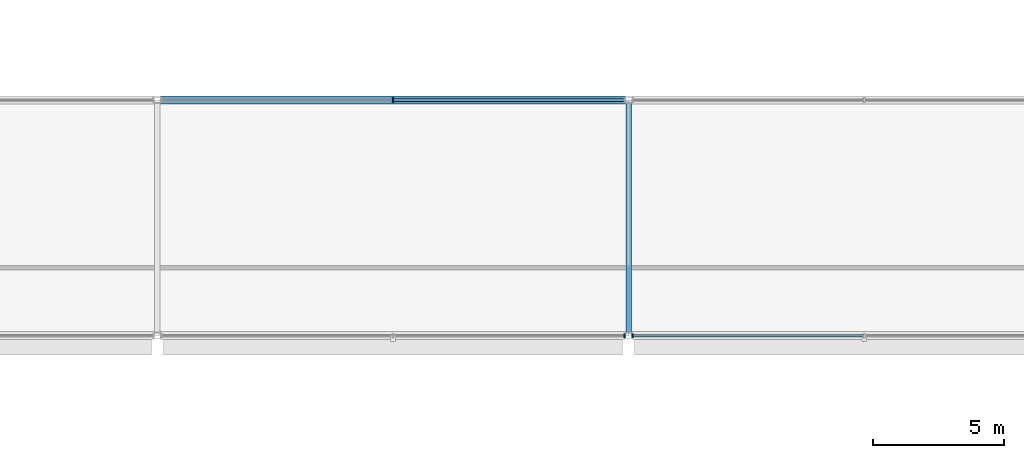
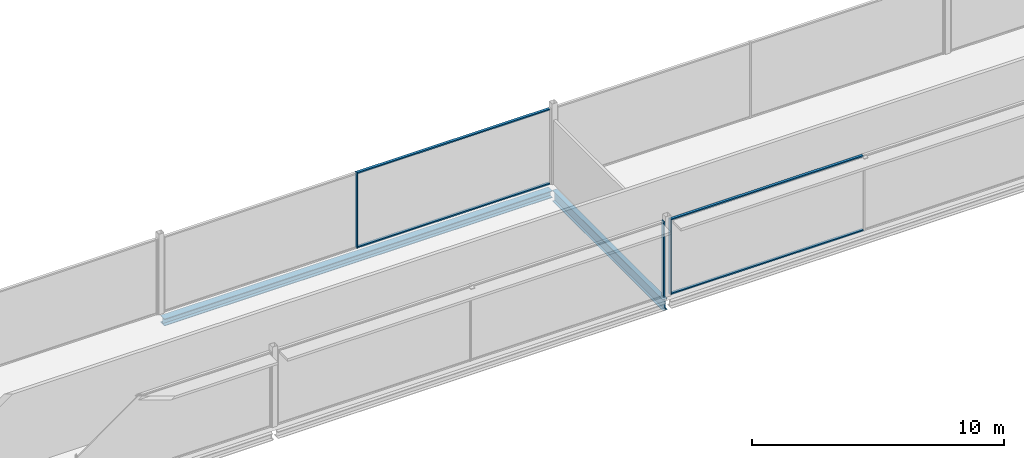
# One storey, part 25 of 96: 7 members, 2 beams, 3 elements without a shape of their own.
"""IFC4 building model written with IfcOpenShell, lengths in metres."""

from ifc_helpers import new_model, si_unit, direction, frame, origin, origin_2d, place, context, subcontext, project, spatial, rectangle, i_section, extrude, material, layer, layer_set, material_profile, profile_set, type_object, element, aggregate, save


model = new_model("IFC4")

# Units and contexts
model_context = context("Model", 3, precision=1e-05, world=origin(), true_north=direction((0.0, 1.0)))
body_context = subcontext(model_context, "Body", "Model", "MODEL_VIEW")
ifc_project = project(units=[si_unit("LENGTHUNIT", "METRE"), si_unit("AREAUNIT", "SQUARE_METRE"), si_unit("VOLUMEUNIT", "CUBIC_METRE"), si_unit("PLANEANGLEUNIT", "RADIAN"), si_unit("MASSUNIT", "GRAM", prefix="KILO")], contexts=[model_context])

# Site, building, storey
site_placement = place(None, origin())
site = spatial("IfcSite", under=ifc_project, at=site_placement, CompositionType="ELEMENT")
building_placement = place(site_placement, origin())
building = spatial("IfcBuilding", under=site, at=building_placement, Name="Kisiwana Market Hall", CompositionType="ELEMENT")
storey_placement = place(building_placement, frame((0.0, 0.0, 25.5)))
storey = spatial("IfcBuildingStorey", under=building, at=storey_placement, Name="L05", CompositionType="ELEMENT", Elevation=25.5)

# Beams
ifc_material_1 = material(Name="Steel S355", Category="steel")
ifc_material_profile_1 = material_profile(ifc_material_1, i_section(OverallWidth=0.209228515625, OverallDepth=0.533203125, WebThickness=0.010009765625, FlangeThickness=0.015625, at=origin_2d()), Name="UB 533x210x92")
ifc_profile_set_1 = profile_set([ifc_material_profile_1], Name="Steel S355")
beam_type_1 = type_object("IfcBeamType", Name="BM-GIRD-UB533", PredefinedType="BEAM", material=ifc_profile_set_1)
beam_1_placement = place(storey_placement, frame((99.0, 18.12109375, -0.531494140625), z_axis=(0.0, 1.0, 0.0), x_axis=(-1.0, 0.0, 0.0)))
element("IfcBeam", 1, at=beam_1_placement, inside=storey, type_object=beam_type_1, Name="Primary girder B-1543", PredefinedType="BEAM", context=body_context, shape_type="SweptSolid", body=[
    extrude(i_section(OverallWidth=0.209228515625, OverallDepth=0.533203125, WebThickness=0.010009765625, FlangeThickness=0.015625, at=origin_2d()), origin(), (0.0, 0.0, 1.0), 8.7578125),
])
ifc_material_2 = material(Name="Steel S355", Category="steel")
ifc_material_profile_2 = material_profile(ifc_material_2, i_section(OverallWidth=0.314453125, OverallDepth=0.33984375, WebThickness=0.01904296875, FlangeThickness=0.031494140625, at=origin_2d()), Name="UC 305x305x198")
ifc_profile_set_2 = profile_set([ifc_material_profile_2], Name="Steel S355")
beam_type_2 = type_object("IfcBeamType", Name="BM-SKYBR-CHORD", PredefinedType="BEAM", material=ifc_profile_set_2)
beam_2_placement = place(storey_placement, frame((81.12109375, 27.0, -0.43505859375), z_axis=(1.0, 0.0, 0.0), x_axis=(0.0, 1.0, 0.0)))
element("IfcBeam", 2, at=beam_2_placement, inside=storey, type_object=beam_type_2, Name="Floor beam B-1619", PredefinedType="BEAM", context=body_context, shape_type="SweptSolid", body=[
    extrude(i_section(OverallWidth=0.314453125, OverallDepth=0.33984375, WebThickness=0.01904296875, FlangeThickness=0.031494140625, at=origin_2d()), origin(), (0.0, 0.0, 1.0), 17.7578125),
])

# Curtain wall, member
ifc_material_3 = material(Name="Double-glazed solar-control low-E IGU", Category="glass")
ifc_layer = layer(ifc_material_3, 0.159912109375)
ifc_layer_set = layer_set([ifc_layer], Name="CW-ZNA-EW-8200")
curtain_wall_type = type_object("IfcCurtainWallType", Name="CW-ZNA-EW-8200", PredefinedType="USERDEFINED", material=ifc_layer_set)
curtain_wall_1_placement = place(storey_placement, origin())
curtain_wall_1 = element("IfcCurtainWall", 3, at=curtain_wall_1_placement, inside=storey, type_object=curtain_wall_type, Name="Unitised curtain wall CW-134 (L05)", ObjectType="UNITISED CURTAIN WALL", PredefinedType="USERDEFINED")
ifc_material_4 = material(Name="Aluminium alloy 6063-T6", Category="aluminium")
ifc_material_profile_3 = material_profile(ifc_material_4, rectangle(XDim=0.06005859375, YDim=0.159912109375, at=origin_2d()), Name="ALU MULLION 60x160")
ifc_profile_set_3 = profile_set([ifc_material_profile_3], Name="Aluminium alloy 6063-T6")
member_type_1 = type_object("IfcMemberType", Name="CW-MULL-60x160", PredefinedType="MULLION", material=ifc_profile_set_3)
member_1_placement = place(storey_placement, frame((98.844970703125, 18.0, 0.0), z_axis=(0.0, 0.0, 1.0), x_axis=(1.0, 0.0, 0.0)))
member_1 = element("IfcMember", 4, at=member_1_placement, type_object=member_type_1, Name="CW-134 mullion 3", PredefinedType="MULLION", context=body_context, shape_type="SweptSolid", body=[
    extrude(rectangle(XDim=0.06005859375, YDim=0.159912109375, at=origin_2d()), origin(), (0.0, 0.0, 1.0), 3.655029296875),
])
aggregate(curtain_wall_1, [member_1])

curtain_wall_2_placement = place(storey_placement, origin())
curtain_wall_2 = element("IfcCurtainWall", 5, at=curtain_wall_2_placement, inside=storey, type_object=curtain_wall_type, Name="Unitised curtain wall CW-135 (L05)", ObjectType="UNITISED CURTAIN WALL", PredefinedType="USERDEFINED")
member_2_placement = place(storey_placement, frame((99.155029296875, 18.0, 0.0), z_axis=(0.0, 0.0, 1.0), x_axis=(1.0, 0.0, 0.0)))
member_2 = element("IfcMember", 6, at=member_2_placement, type_object=member_type_1, Name="CW-135 mullion 1", PredefinedType="MULLION", context=body_context, shape_type="SweptSolid", body=[
    extrude(rectangle(XDim=0.06005859375, YDim=0.159912109375, at=origin_2d()), origin(), (0.0, 0.0, 1.0), 3.655029296875),
])

curtain_wall_3_placement = place(storey_placement, origin())
curtain_wall_3 = element("IfcCurtainWall", 7, at=curtain_wall_3_placement, inside=storey, type_object=curtain_wall_type, Name="Unitised curtain wall CW-140 (L05)", ObjectType="UNITISED CURTAIN WALL", PredefinedType="USERDEFINED")
member_3_placement = place(storey_placement, frame((90.0, 27.0, 0.0), z_axis=(0.0, 0.0, 1.0), x_axis=(1.0, 0.0, 0.0)))
member_3 = element("IfcMember", 8, at=member_3_placement, type_object=member_type_1, Name="CW-140 mullion 2", PredefinedType="MULLION", context=body_context, shape_type="SweptSolid", body=[
    extrude(rectangle(XDim=0.06005859375, YDim=0.159912109375, at=origin_2d()), origin(), (0.0, 0.0, 1.0), 3.655029296875),
])

# Member
ifc_material_5 = material(Name="Aluminium alloy 6063-T6", Category="aluminium")
ifc_material_profile_4 = material_profile(ifc_material_5, rectangle(XDim=0.1201171875, YDim=0.06005859375, at=origin_2d()), Name="ALU TRANSOM 60x120")
ifc_profile_set_4 = profile_set([ifc_material_profile_4], Name="Aluminium alloy 6063-T6")
member_type_2 = type_object("IfcMemberType", Name="CW-TRAN-60x120", PredefinedType="USERDEFINED", material=ifc_profile_set_4)
member_4_placement = place(storey_placement, frame((99.18505859375, 18.0, 0.030029296875), z_axis=(1.0, 0.0, 0.0), x_axis=(0.0, 1.0, 0.0)))
member_4 = element("IfcMember", 9, at=member_4_placement, type_object=member_type_2, Name="CW-135 transom 1.1", ObjectType="TRANSOM", PredefinedType="USERDEFINED", context=body_context, shape_type="SweptSolid", body=[
    extrude(rectangle(XDim=0.1201171875, YDim=0.06005859375, at=origin_2d()), origin(), (0.0, 0.0, 1.0), 8.784912109375),
])

member_5_placement = place(storey_placement, frame((99.18505859375, 18.0, 3.625), z_axis=(1.0, 0.0, 0.0), x_axis=(0.0, 1.0, 0.0)))
member_5 = element("IfcMember", 10, at=member_5_placement, type_object=member_type_2, Name="CW-135 transom 1.2", ObjectType="TRANSOM", PredefinedType="USERDEFINED", context=body_context, shape_type="SweptSolid", body=[
    extrude(rectangle(XDim=0.1201171875, YDim=0.06005859375, at=origin_2d()), origin(), (0.0, 0.0, 1.0), 8.784912109375),
])

aggregate(curtain_wall_2, [member_2, member_4, member_5])

member_6_placement = place(storey_placement, frame((90.030029296875, 27.0, 0.030029296875), z_axis=(1.0, 0.0, 0.0), x_axis=(0.0, 1.0, 0.0)))
member_6 = element("IfcMember", 11, at=member_6_placement, type_object=member_type_2, Name="CW-140 transom 2.1", ObjectType="TRANSOM", PredefinedType="USERDEFINED", context=body_context, shape_type="SweptSolid", body=[
    extrude(rectangle(XDim=0.1201171875, YDim=0.06005859375, at=origin_2d()), origin(), (0.0, 0.0, 1.0), 8.784912109375),
])

member_7_placement = place(storey_placement, frame((90.030029296875, 27.0, 3.625), z_axis=(1.0, 0.0, 0.0), x_axis=(0.0, 1.0, 0.0)))
member_7 = element("IfcMember", 12, at=member_7_placement, type_object=member_type_2, Name="CW-140 transom 2.2", ObjectType="TRANSOM", PredefinedType="USERDEFINED", context=body_context, shape_type="SweptSolid", body=[
    extrude(rectangle(XDim=0.1201171875, YDim=0.06005859375, at=origin_2d()), origin(), (0.0, 0.0, 1.0), 8.784912109375),
])

aggregate(curtain_wall_3, [member_3, member_6, member_7])

save(model, "model.ifc")
